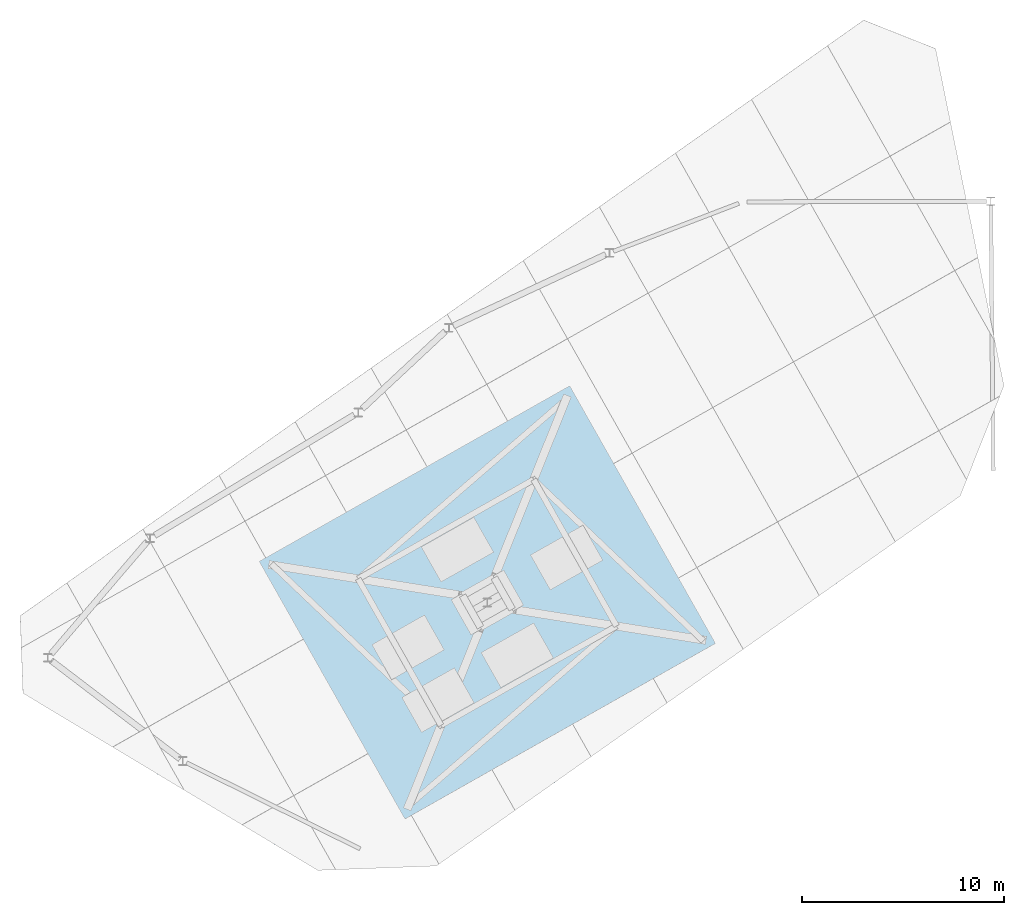
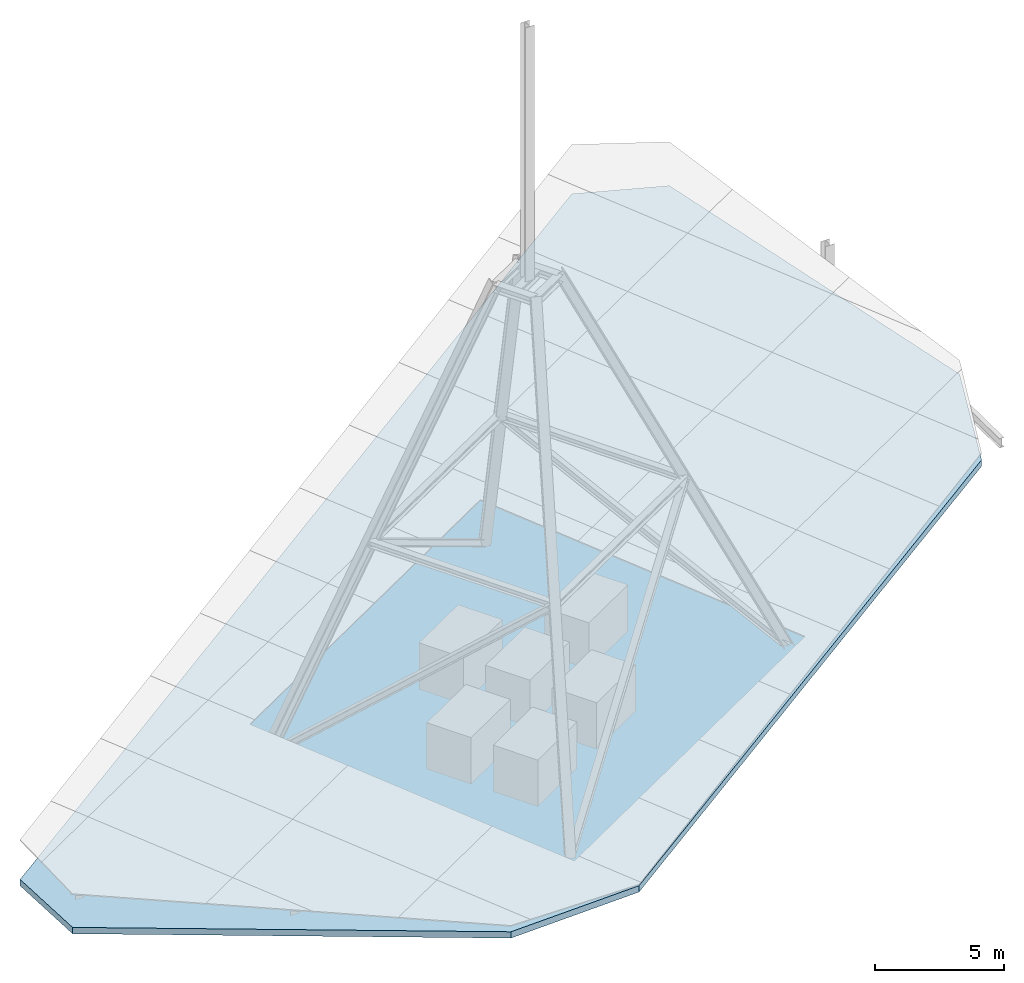
# One storey, part 3 of 5: 1 slab.
"""IFC4 building model written with IfcOpenShell, lengths in metres."""

from ifc_helpers import new_model, si_unit, direction, frame, origin, place, context, subcontext, project, spatial, polyline, outline, extrude, material, layer, layer_set, type_object, element, save


model = new_model("IFC4")

# Units and contexts
model_context = context("Model", 3, precision=1e-05, world=origin(), true_north=direction((0.0, 1.0)))
body_context = subcontext(model_context, "Body", "Model", "MODEL_VIEW")
ifc_project = project(units=[si_unit("LENGTHUNIT", "METRE"), si_unit("AREAUNIT", "SQUARE_METRE"), si_unit("VOLUMEUNIT", "CUBIC_METRE"), si_unit("PLANEANGLEUNIT", "RADIAN"), si_unit("MASSUNIT", "GRAM", prefix="KILO")], contexts=[model_context])

# Site, building, storey
site_placement = place(None, origin())
site = spatial("IfcSite", under=ifc_project, at=site_placement, CompositionType="ELEMENT")
building_placement = place(site_placement, origin())
building = spatial("IfcBuilding", under=site, at=building_placement, Name="Binnacle Exchange Tower", CompositionType="ELEMENT")
storey_placement = place(building_placement, frame((0.0, 0.0, 372.10009765625)))
storey = spatial("IfcBuildingStorey", under=building, at=storey_placement, Name="RF", CompositionType="ELEMENT", Elevation=372.10009765625)

# Slab
ifc_material = material(Name="Concrete C35/45", Category="concrete")
ifc_layer = layer(ifc_material, 0.300048828125)
ifc_layer_set = layer_set([ifc_layer], Name="Roof slab 300 Concrete C35/45")
slab_type = type_object("IfcSlabType", Name="Roof slab 300 Concrete C35/45", PredefinedType="ROOF", material=ifc_layer_set)
slab_placement = place(storey_placement, frame((0.0, 0.0, -0.300048828125)))
element("IfcSlab", 1, at=slab_placement, inside=storey, type_object=slab_type, Name="S:SL:RF:01", PredefinedType="ROOF", context=body_context, shape_type="SweptSolid", body=[
    extrude(outline(polyline([(-12.39501953125, 45.024169921875), (-10.2314453125, 50.473388671875), (-13.60888671875, 67.134521484375), (-17.1630859375, 68.5458984375), (-58.857177734375, 39.101806640625), (-58.716064453125, 35.280029296875), (-44.14404296875, 26.5244140625), (-38.28515625, 26.74072265625), (-12.39501953125, 45.024169921875)])), origin(), (0.0, 0.0, 1.0), 0.300048828125),
])

save(model, "model.ifc")
